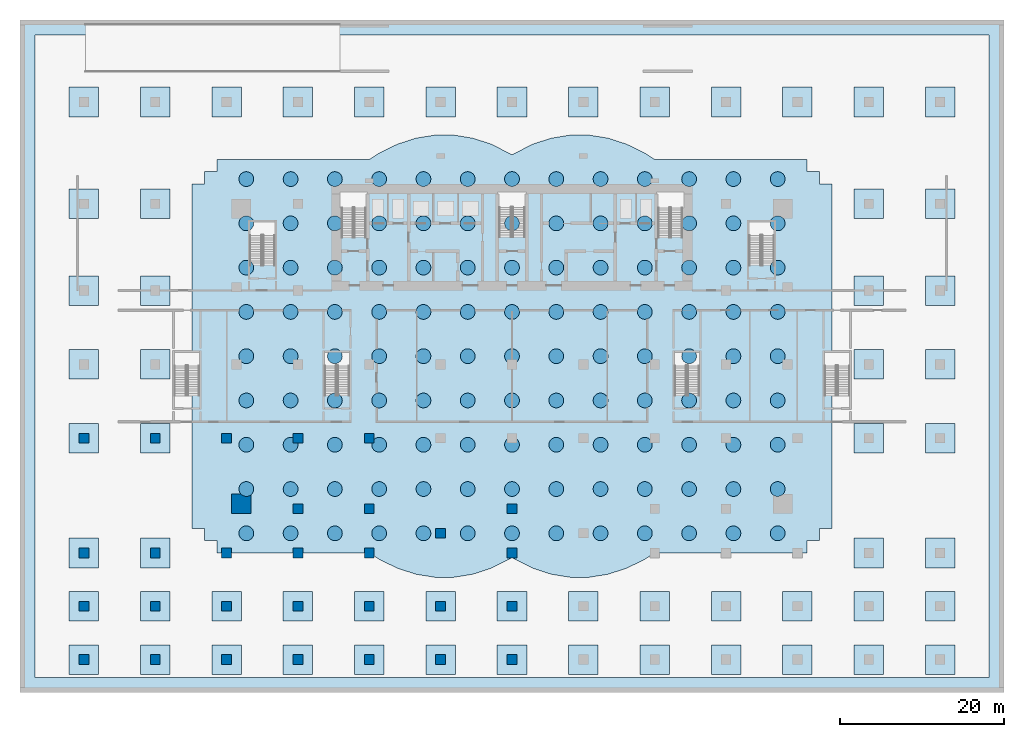
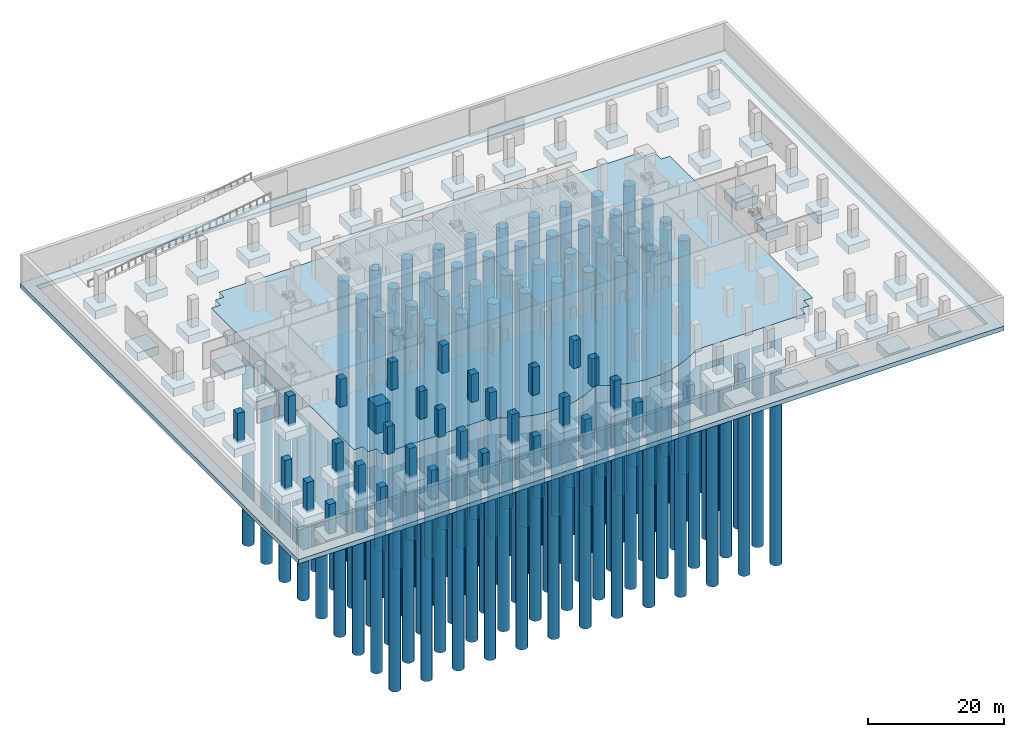
# One storey, part 1 of 10: 117 piles, 61 footings, 30 columns.
"""IFC4 building model written with IfcOpenShell, lengths in metres."""

from ifc_helpers import new_model, si_unit, direction, frame, origin, origin_2d, place, context, subcontext, project, spatial, polyline, rectangle, circle, outline, extrude, material, layer, layer_set, material_profile, profile_set, type_object, element, save


model = new_model("IFC4")

# Units and contexts
model_context = context("Model", 3, precision=1e-05, world=origin(), true_north=direction((0.0, 1.0)))
body_context = subcontext(model_context, "Body", "Model", "MODEL_VIEW")
ifc_project = project(units=[si_unit("LENGTHUNIT", "METRE"), si_unit("AREAUNIT", "SQUARE_METRE"), si_unit("VOLUMEUNIT", "CUBIC_METRE"), si_unit("PLANEANGLEUNIT", "RADIAN"), si_unit("MASSUNIT", "GRAM", prefix="KILO")], contexts=[model_context])

# Site, building, storey
site_placement = place(None, origin())
site = spatial("IfcSite", under=ifc_project, at=site_placement, CompositionType="ELEMENT")
building_placement = place(site_placement, origin())
building = spatial("IfcBuilding", under=site, at=building_placement, Name="Bicima Exchange Tower", CompositionType="ELEMENT")
storey_placement = place(building_placement, frame((0.0, 0.0, -15.0)))
storey = spatial("IfcBuildingStorey", under=building, at=storey_placement, Name="B3", CompositionType="ELEMENT", Elevation=-15.0)

# Piles
ifc_material_1 = material(Name="Concrete C35/45", Category="concrete")
ifc_material_profile_1 = material_profile(ifc_material_1, circle(Radius=0.89990234375, at=origin_2d()))
ifc_profile_set_1 = profile_set([ifc_material_profile_1], Name="Concrete C35/45")
pile_type = type_object("IfcPileType", Name="Bored pile D1800", PredefinedType="BORED", material=ifc_profile_set_1)
for number, where, z_axis, x_axis, name in (
    (1, (-32.39990234375, -42.60009765625, -2.89990234375), (0.0, 0.0, -1.0), (1.0, 0.0, 0.0), "Raft pile"),
    (2, (-32.39990234375, -37.199951171875, -2.89990234375), (0.0, 0.0, -1.0), (1.0, 0.0, 0.0), "Raft pile"),
    (3, (-32.39990234375, -31.800048828125, -2.89990234375), (0.0, 0.0, -1.0), (1.0, 0.0, 0.0), "Raft pile"),
    (4, (-32.39990234375, -26.39990234375, -2.89990234375), (0.0, 0.0, -1.0), (1.0, 0.0, 0.0), "Raft pile"),
    (5, (-32.39990234375, -21.0, -2.89990234375), (0.0, 0.0, -1.0), (1.0, 0.0, 0.0), "Raft pile"),
    (6, (-32.39990234375, -15.60009765625, -2.89990234375), (0.0, 0.0, -1.0), (1.0, 0.0, 0.0), "Raft pile"),
    (7, (-32.39990234375, -10.199951171875, -2.89990234375), (0.0, 0.0, -1.0), (1.0, 0.0, 0.0), "Raft pile"),
    (8, (-32.39990234375, -4.800048828125, -2.89990234375), (0.0, 0.0, -1.0), (1.0, 0.0, 0.0), "Raft pile"),
    (9, (-32.39990234375, 0.60009765625, -2.89990234375), (0.0, 0.0, -1.0), (1.0, 0.0, 0.0), "Raft pile"),
    (10, (-27.0, -42.60009765625, -2.89990234375), (0.0, 0.0, -1.0), (1.0, 0.0, 0.0), "Raft pile"),
    (11, (-27.0, -37.199951171875, -2.89990234375), (0.0, 0.0, -1.0), (1.0, 0.0, 0.0), "Raft pile"),
    (12, (-27.0, -31.800048828125, -2.89990234375), (0.0, 0.0, -1.0), (1.0, 0.0, 0.0), "Raft pile"),
    (13, (-27.0, -26.39990234375, -2.89990234375), (0.0, 0.0, -1.0), (1.0, 0.0, 0.0), "Raft pile"),
    (14, (-27.0, -21.0, -2.89990234375), (0.0, 0.0, -1.0), (1.0, 0.0, 0.0), "Raft pile"),
    (15, (-27.0, -15.60009765625, -2.89990234375), (0.0, 0.0, -1.0), (1.0, 0.0, 0.0), "Raft pile"),
    (16, (-27.0, -10.199951171875, -2.89990234375), (0.0, 0.0, -1.0), (1.0, 0.0, 0.0), "Raft pile"),
    (17, (-27.0, -4.800048828125, -2.89990234375), (0.0, 0.0, -1.0), (1.0, 0.0, 0.0), "Raft pile"),
    (18, (-27.0, 0.60009765625, -2.89990234375), (0.0, 0.0, -1.0), (1.0, 0.0, 0.0), "Raft pile"),
    (19, (-21.60009765625, -42.60009765625, -2.89990234375), (0.0, 0.0, -1.0), (1.0, 0.0, 0.0), "Raft pile"),
    (20, (-21.60009765625, -37.199951171875, -2.89990234375), (0.0, 0.0, -1.0), (1.0, 0.0, 0.0), "Raft pile"),
    (21, (-21.60009765625, -31.800048828125, -2.89990234375), (0.0, 0.0, -1.0), (1.0, 0.0, 0.0), "Raft pile"),
    (22, (-21.60009765625, -26.39990234375, -2.89990234375), (0.0, 0.0, -1.0), (1.0, 0.0, 0.0), "Raft pile"),
    (23, (-21.60009765625, -21.0, -2.89990234375), (0.0, 0.0, -1.0), (1.0, 0.0, 0.0), "Raft pile"),
    (24, (-21.60009765625, -15.60009765625, -2.89990234375), (0.0, 0.0, -1.0), (1.0, 0.0, 0.0), "Raft pile"),
    (25, (-21.60009765625, -10.199951171875, -2.89990234375), (0.0, 0.0, -1.0), (1.0, 0.0, 0.0), "Raft pile"),
    (26, (-21.60009765625, -4.800048828125, -2.89990234375), (0.0, 0.0, -1.0), (1.0, 0.0, 0.0), "Raft pile"),
    (27, (-21.60009765625, 0.60009765625, -2.89990234375), (0.0, 0.0, -1.0), (1.0, 0.0, 0.0), "Raft pile"),
    (28, (-16.199951171875, -42.60009765625, -2.89990234375), (0.0, 0.0, -1.0), (1.0, 0.0, 0.0), "Raft pile"),
    (29, (-16.199951171875, -37.199951171875, -2.89990234375), (0.0, 0.0, -1.0), (1.0, 0.0, 0.0), "Raft pile"),
    (30, (-16.199951171875, -31.800048828125, -2.89990234375), (0.0, 0.0, -1.0), (1.0, 0.0, 0.0), "Raft pile"),
    (31, (-16.199951171875, -26.39990234375, -2.89990234375), (0.0, 0.0, -1.0), (1.0, 0.0, 0.0), "Raft pile"),
    (32, (-16.199951171875, -21.0, -2.89990234375), (0.0, 0.0, -1.0), (1.0, 0.0, 0.0), "Raft pile"),
    (33, (-16.199951171875, -15.60009765625, -2.89990234375), (0.0, 0.0, -1.0), (1.0, 0.0, 0.0), "Raft pile"),
    (34, (-16.199951171875, -10.199951171875, -2.89990234375), (0.0, 0.0, -1.0), (1.0, 0.0, 0.0), "Raft pile"),
    (35, (-16.199951171875, -4.800048828125, -2.89990234375), (0.0, 0.0, -1.0), (1.0, 0.0, 0.0), "Raft pile"),
    (36, (-16.199951171875, 0.60009765625, -2.89990234375), (0.0, 0.0, -1.0), (1.0, 0.0, 0.0), "Raft pile"),
    (37, (-10.800048828125, -42.60009765625, -2.89990234375), (0.0, 0.0, -1.0), (1.0, 0.0, 0.0), "Raft pile"),
    (38, (-10.800048828125, -37.199951171875, -2.89990234375), (0.0, 0.0, -1.0), (1.0, 0.0, 0.0), "Raft pile"),
    (39, (-10.800048828125, -31.800048828125, -2.89990234375), (0.0, 0.0, -1.0), (1.0, 0.0, 0.0), "Raft pile"),
    (40, (-10.800048828125, -26.39990234375, -2.89990234375), (0.0, 0.0, -1.0), (1.0, 0.0, 0.0), "Raft pile"),
    (41, (-10.800048828125, -21.0, -2.89990234375), (0.0, 0.0, -1.0), (1.0, 0.0, 0.0), "Raft pile"),
    (42, (-10.800048828125, -15.60009765625, -2.89990234375), (0.0, 0.0, -1.0), (1.0, 0.0, 0.0), "Raft pile"),
    (43, (-10.800048828125, -10.199951171875, -2.89990234375), (0.0, 0.0, -1.0), (1.0, 0.0, 0.0), "Raft pile"),
    (44, (-10.800048828125, -4.800048828125, -2.89990234375), (0.0, 0.0, -1.0), (1.0, 0.0, 0.0), "Raft pile"),
    (45, (-10.800048828125, 0.60009765625, -2.89990234375), (0.0, 0.0, -1.0), (1.0, 0.0, 0.0), "Raft pile"),
    (46, (-5.39990234375, -42.60009765625, -2.89990234375), (0.0, 0.0, -1.0), (1.0, 0.0, 0.0), "Raft pile"),
    (47, (-5.39990234375, -37.199951171875, -2.89990234375), (0.0, 0.0, -1.0), (1.0, 0.0, 0.0), "Raft pile"),
    (48, (-5.39990234375, -31.800048828125, -2.89990234375), (0.0, 0.0, -1.0), (1.0, 0.0, 0.0), "Raft pile"),
    (49, (-5.39990234375, -26.39990234375, -2.89990234375), (0.0, 0.0, -1.0), (1.0, 0.0, 0.0), "Raft pile"),
    (50, (-5.39990234375, -21.0, -2.89990234375), (0.0, 0.0, -1.0), (1.0, 0.0, 0.0), "Raft pile"),
    (51, (-5.39990234375, -15.60009765625, -2.89990234375), (0.0, 0.0, -1.0), (1.0, 0.0, 0.0), "Raft pile"),
    (52, (-5.39990234375, -10.199951171875, -2.89990234375), (0.0, 0.0, -1.0), (1.0, 0.0, 0.0), "Raft pile"),
    (53, (-5.39990234375, -4.800048828125, -2.89990234375), (0.0, 0.0, -1.0), (1.0, 0.0, 0.0), "Raft pile"),
    (54, (-5.39990234375, 0.60009765625, -2.89990234375), (0.0, 0.0, -1.0), (1.0, 0.0, 0.0), "Raft pile"),
    (55, (0.0, -42.60009765625, -2.89990234375), (0.0, 0.0, -1.0), (1.0, 0.0, 0.0), "Raft pile"),
    (56, (0.0, -37.199951171875, -2.89990234375), (0.0, 0.0, -1.0), (1.0, 0.0, 0.0), "Raft pile"),
    (57, (0.0, -31.800048828125, -2.89990234375), (0.0, 0.0, -1.0), (1.0, 0.0, 0.0), "Raft pile"),
    (58, (0.0, -26.39990234375, -2.89990234375), (0.0, 0.0, -1.0), (1.0, 0.0, 0.0), "Raft pile"),
    (59, (0.0, -21.0, -2.89990234375), (0.0, 0.0, -1.0), (1.0, 0.0, 0.0), "Raft pile"),
    (60, (0.0, -15.60009765625, -2.89990234375), (0.0, 0.0, -1.0), (1.0, 0.0, 0.0), "Raft pile"),
    (61, (0.0, -10.199951171875, -2.89990234375), (0.0, 0.0, -1.0), (1.0, 0.0, 0.0), "Raft pile"),
    (62, (0.0, -4.800048828125, -2.89990234375), (0.0, 0.0, -1.0), (1.0, 0.0, 0.0), "Raft pile"),
    (63, (0.0, 0.60009765625, -2.89990234375), (0.0, 0.0, -1.0), (1.0, 0.0, 0.0), "Raft pile"),
    (64, (5.39990234375, -42.60009765625, -2.89990234375), (0.0, 0.0, -1.0), (1.0, 0.0, 0.0), "Raft pile"),
    (65, (5.39990234375, -37.199951171875, -2.89990234375), (0.0, 0.0, -1.0), (1.0, 0.0, 0.0), "Raft pile"),
    (66, (5.39990234375, -31.800048828125, -2.89990234375), (0.0, 0.0, -1.0), (1.0, 0.0, 0.0), "Raft pile"),
    (67, (5.39990234375, -26.39990234375, -2.89990234375), (0.0, 0.0, -1.0), (1.0, 0.0, 0.0), "Raft pile"),
    (68, (5.39990234375, -21.0, -2.89990234375), (0.0, 0.0, -1.0), (1.0, 0.0, 0.0), "Raft pile"),
    (69, (5.39990234375, -15.60009765625, -2.89990234375), (0.0, 0.0, -1.0), (1.0, 0.0, 0.0), "Raft pile"),
    (70, (5.39990234375, -10.199951171875, -2.89990234375), (0.0, 0.0, -1.0), (1.0, 0.0, 0.0), "Raft pile"),
    (71, (5.39990234375, -4.800048828125, -2.89990234375), (0.0, 0.0, -1.0), (1.0, 0.0, 0.0), "Raft pile"),
    (72, (5.39990234375, 0.60009765625, -2.89990234375), (0.0, 0.0, -1.0), (1.0, 0.0, 0.0), "Raft pile"),
    (73, (10.800048828125, -42.60009765625, -2.89990234375), (0.0, 0.0, -1.0), (1.0, 0.0, 0.0), "Raft pile"),
    (74, (10.800048828125, -37.199951171875, -2.89990234375), (0.0, 0.0, -1.0), (1.0, 0.0, 0.0), "Raft pile"),
    (75, (10.800048828125, -31.800048828125, -2.89990234375), (0.0, 0.0, -1.0), (1.0, 0.0, 0.0), "Raft pile"),
    (76, (10.800048828125, -26.39990234375, -2.89990234375), (0.0, 0.0, -1.0), (1.0, 0.0, 0.0), "Raft pile"),
    (77, (10.800048828125, -21.0, -2.89990234375), (0.0, 0.0, -1.0), (1.0, 0.0, 0.0), "Raft pile"),
    (78, (10.800048828125, -15.60009765625, -2.89990234375), (0.0, 0.0, -1.0), (1.0, 0.0, 0.0), "Raft pile"),
    (79, (10.800048828125, -10.199951171875, -2.89990234375), (0.0, 0.0, -1.0), (1.0, 0.0, 0.0), "Raft pile"),
    (80, (10.800048828125, -4.800048828125, -2.89990234375), (0.0, 0.0, -1.0), (1.0, 0.0, 0.0), "Raft pile"),
    (81, (10.800048828125, 0.60009765625, -2.89990234375), (0.0, 0.0, -1.0), (1.0, 0.0, 0.0), "Raft pile"),
    (82, (16.199951171875, -42.60009765625, -2.89990234375), (0.0, 0.0, -1.0), (1.0, 0.0, 0.0), "Raft pile"),
    (83, (16.199951171875, -37.199951171875, -2.89990234375), (0.0, 0.0, -1.0), (1.0, 0.0, 0.0), "Raft pile"),
    (84, (16.199951171875, -31.800048828125, -2.89990234375), (0.0, 0.0, -1.0), (1.0, 0.0, 0.0), "Raft pile"),
    (85, (16.199951171875, -26.39990234375, -2.89990234375), (0.0, 0.0, -1.0), (1.0, 0.0, 0.0), "Raft pile"),
    (86, (16.199951171875, -21.0, -2.89990234375), (0.0, 0.0, -1.0), (1.0, 0.0, 0.0), "Raft pile"),
    (87, (16.199951171875, -15.60009765625, -2.89990234375), (0.0, 0.0, -1.0), (1.0, 0.0, 0.0), "Raft pile"),
    (88, (16.199951171875, -10.199951171875, -2.89990234375), (0.0, 0.0, -1.0), (1.0, 0.0, 0.0), "Raft pile"),
    (89, (16.199951171875, -4.800048828125, -2.89990234375), (0.0, 0.0, -1.0), (1.0, 0.0, 0.0), "Raft pile"),
    (90, (16.199951171875, 0.60009765625, -2.89990234375), (0.0, 0.0, -1.0), (1.0, 0.0, 0.0), "Raft pile"),
    (91, (21.60009765625, -42.60009765625, -2.89990234375), (0.0, 0.0, -1.0), (1.0, 0.0, 0.0), "Raft pile"),
    (92, (21.60009765625, -37.199951171875, -2.89990234375), (0.0, 0.0, -1.0), (1.0, 0.0, 0.0), "Raft pile"),
    (93, (21.60009765625, -31.800048828125, -2.89990234375), (0.0, 0.0, -1.0), (1.0, 0.0, 0.0), "Raft pile"),
    (94, (21.60009765625, -26.39990234375, -2.89990234375), (0.0, 0.0, -1.0), (1.0, 0.0, 0.0), "Raft pile"),
    (95, (21.60009765625, -21.0, -2.89990234375), (0.0, 0.0, -1.0), (1.0, 0.0, 0.0), "Raft pile"),
    (96, (21.60009765625, -15.60009765625, -2.89990234375), (0.0, 0.0, -1.0), (1.0, 0.0, 0.0), "Raft pile"),
    (97, (21.60009765625, -10.199951171875, -2.89990234375), (0.0, 0.0, -1.0), (1.0, 0.0, 0.0), "Raft pile"),
    (98, (21.60009765625, -4.800048828125, -2.89990234375), (0.0, 0.0, -1.0), (1.0, 0.0, 0.0), "Raft pile"),
    (99, (21.60009765625, 0.60009765625, -2.89990234375), (0.0, 0.0, -1.0), (1.0, 0.0, 0.0), "Raft pile"),
    (100, (27.0, -42.60009765625, -2.89990234375), (0.0, 0.0, -1.0), (1.0, 0.0, 0.0), "Raft pile"),
    (101, (27.0, -37.199951171875, -2.89990234375), (0.0, 0.0, -1.0), (1.0, 0.0, 0.0), "Raft pile"),
    (102, (27.0, -31.800048828125, -2.89990234375), (0.0, 0.0, -1.0), (1.0, 0.0, 0.0), "Raft pile"),
    (103, (27.0, -26.39990234375, -2.89990234375), (0.0, 0.0, -1.0), (1.0, 0.0, 0.0), "Raft pile"),
    (104, (27.0, -21.0, -2.89990234375), (0.0, 0.0, -1.0), (1.0, 0.0, 0.0), "Raft pile"),
    (105, (27.0, -15.60009765625, -2.89990234375), (0.0, 0.0, -1.0), (1.0, 0.0, 0.0), "Raft pile"),
    (106, (27.0, -10.199951171875, -2.89990234375), (0.0, 0.0, -1.0), (1.0, 0.0, 0.0), "Raft pile"),
    (107, (27.0, -4.800048828125, -2.89990234375), (0.0, 0.0, -1.0), (1.0, 0.0, 0.0), "Raft pile"),
    (108, (27.0, 0.60009765625, -2.89990234375), (0.0, 0.0, -1.0), (1.0, 0.0, 0.0), "Raft pile"),
    (109, (32.39990234375, -42.60009765625, -2.89990234375), (0.0, 0.0, -1.0), (1.0, 0.0, 0.0), "Raft pile"),
    (110, (32.39990234375, -37.199951171875, -2.89990234375), (0.0, 0.0, -1.0), (1.0, 0.0, 0.0), "Raft pile"),
    (111, (32.39990234375, -31.800048828125, -2.89990234375), (0.0, 0.0, -1.0), (1.0, 0.0, 0.0), "Raft pile"),
    (112, (32.39990234375, -26.39990234375, -2.89990234375), (0.0, 0.0, -1.0), (1.0, 0.0, 0.0), "Raft pile"),
    (113, (32.39990234375, -21.0, -2.89990234375), (0.0, 0.0, -1.0), (1.0, 0.0, 0.0), "Raft pile"),
    (114, (32.39990234375, -15.60009765625, -2.89990234375), (0.0, 0.0, -1.0), (1.0, 0.0, 0.0), "Raft pile"),
    (115, (32.39990234375, -10.199951171875, -2.89990234375), (0.0, 0.0, -1.0), (1.0, 0.0, 0.0), "Raft pile"),
    (116, (32.39990234375, -4.800048828125, -2.89990234375), (0.0, 0.0, -1.0), (1.0, 0.0, 0.0), "Raft pile"),
    (117, (32.39990234375, 0.60009765625, -2.89990234375), (0.0, 0.0, -1.0), (1.0, 0.0, 0.0), "Raft pile"),
):
    element("IfcPile", number, at=place(storey_placement, frame(where, z_axis=z_axis, x_axis=x_axis)), inside=storey, type_object=pile_type, Name=name, PredefinedType="BORED", context=body_context, shape_type="SweptSolid", body=[
        extrude(circle(Radius=0.89990234375, at=origin_2d()), origin(), (0.0, 0.0, 1.0), 42.0),
    ])

# Footings
ifc_material_2 = material(Name="Concrete C40/50", Category="concrete")
ifc_layer_1 = layer(ifc_material_2, 3.0)
ifc_layer_set_1 = layer_set([ifc_layer_1], Name="Concrete C40/50")
footing_type_1 = type_object("IfcFootingType", Name="Piled raft 3000", PredefinedType="PILE_CAP", material=ifc_layer_set_1)
footing_1_placement = place(storey_placement, frame((0.0, 0.0, -3.0)))
element("IfcFooting", 118, at=footing_1_placement, inside=storey, type_object=footing_type_1, Name="Tower piled raft", PredefinedType="PILE_CAP", context=body_context, shape_type="SweptSolid", body=[
    extrude(outline(polyline([(-37.5, -42.0), (-39.0, -42.0), (-39.0, 0.0), (-37.5, 0.0), (-37.5, 1.5), (-36.0, 1.5), (-36.0, 3.0), (-17.38525390625, 3.0), (-16.14111328125, 3.804443359375), (-13.954345703125, 4.864501953125), (-11.704833984375, 5.591796875), (-9.40771484375, 5.962890625), (-7.09228515625, 5.962890625), (-4.795166015625, 5.591796875), (-2.545654296875, 4.864501953125), (0.0, 3.572265625), (2.545654296875, 4.864501953125), (4.795166015625, 5.591796875), (7.09228515625, 5.962890625), (9.40771484375, 5.962890625), (11.704833984375, 5.591796875), (13.954345703125, 4.864501953125), (16.14111328125, 3.804443359375), (17.38525390625, 3.0), (36.0, 3.0), (36.0, 1.5), (37.5, 1.5), (37.5, 0.0), (39.0, 0.0), (39.0, -42.0), (37.5, -42.0), (37.5, -43.5), (36.0, -43.5), (36.0, -45.0), (17.38525390625, -45.0), (16.14111328125, -45.804443359375), (13.954345703125, -46.864501953125), (11.704833984375, -47.591796875), (9.40771484375, -47.962890625), (7.09228515625, -47.962890625), (4.795166015625, -47.591796875), (2.545654296875, -46.864501953125), (0.0, -45.572265625), (-2.545654296875, -46.864501953125), (-4.795166015625, -47.591796875), (-7.09228515625, -47.962890625), (-9.40771484375, -47.962890625), (-11.704833984375, -47.591796875), (-13.954345703125, -46.864501953125), (-16.14111328125, -45.804443359375), (-17.38525390625, -45.0), (-36.0, -45.0), (-36.0, -43.5), (-37.5, -43.5), (-37.5, -42.0)])), origin(), (0.0, 0.0, 1.0), 3.0),
])
footing_type_2 = type_object("IfcFootingType", Name="Spread footing 3600 x 3600 x 1500", PredefinedType="PAD_FOOTING", material=ifc_material_2)
for number, where, z_axis, x_axis, name in (
    (119, (-52.199951171875, -58.0, -1.800048828125), (0.0, 0.0, 1.0), (1.0, 0.0, 0.0), "Column pad"),
    (120, (-52.199951171875, -51.5, -1.800048828125), (0.0, 0.0, 1.0), (1.0, 0.0, 0.0), "Column pad"),
    (121, (-52.199951171875, -45.0, -1.800048828125), (0.0, 0.0, 1.0), (1.0, 0.0, 0.0), "Column pad"),
    (122, (-52.199951171875, -31.0, -1.800048828125), (0.0, 0.0, 1.0), (1.0, 0.0, 0.0), "Column pad"),
    (123, (-52.199951171875, -22.0, -1.800048828125), (0.0, 0.0, 1.0), (1.0, 0.0, 0.0), "Column pad"),
    (124, (-52.199951171875, -13.0, -1.800048828125), (0.0, 0.0, 1.0), (1.0, 0.0, 0.0), "Column pad"),
    (125, (-52.199951171875, -2.39990234375, -1.800048828125), (0.0, 0.0, 1.0), (1.0, 0.0, 0.0), "Column pad"),
    (126, (-52.199951171875, 10.0, -1.800048828125), (0.0, 0.0, 1.0), (1.0, 0.0, 0.0), "Column pad"),
    (127, (-43.5, -58.0, -1.800048828125), (0.0, 0.0, 1.0), (1.0, 0.0, 0.0), "Column pad"),
    (128, (-43.5, -51.5, -1.800048828125), (0.0, 0.0, 1.0), (1.0, 0.0, 0.0), "Column pad"),
    (129, (-43.5, -45.0, -1.800048828125), (0.0, 0.0, 1.0), (1.0, 0.0, 0.0), "Column pad"),
    (130, (-43.5, -31.0, -1.800048828125), (0.0, 0.0, 1.0), (1.0, 0.0, 0.0), "Column pad"),
    (131, (-43.5, -22.0, -1.800048828125), (0.0, 0.0, 1.0), (1.0, 0.0, 0.0), "Column pad"),
    (132, (-43.5, -13.0, -1.800048828125), (0.0, 0.0, 1.0), (1.0, 0.0, 0.0), "Column pad"),
    (133, (-43.5, -2.39990234375, -1.800048828125), (0.0, 0.0, 1.0), (1.0, 0.0, 0.0), "Column pad"),
    (134, (-43.5, 10.0, -1.800048828125), (0.0, 0.0, 1.0), (1.0, 0.0, 0.0), "Column pad"),
    (135, (-34.800048828125, -58.0, -1.800048828125), (0.0, 0.0, 1.0), (1.0, 0.0, 0.0), "Column pad"),
    (136, (-34.800048828125, -51.5, -1.800048828125), (0.0, 0.0, 1.0), (1.0, 0.0, 0.0), "Column pad"),
    (137, (-34.800048828125, 10.0, -1.800048828125), (0.0, 0.0, 1.0), (1.0, 0.0, 0.0), "Column pad"),
    (138, (-26.10009765625, -58.0, -1.800048828125), (0.0, 0.0, 1.0), (1.0, 0.0, 0.0), "Column pad"),
    (139, (-26.10009765625, -51.5, -1.800048828125), (0.0, 0.0, 1.0), (1.0, 0.0, 0.0), "Column pad"),
    (140, (-26.10009765625, 10.0, -1.800048828125), (0.0, 0.0, 1.0), (1.0, 0.0, 0.0), "Column pad"),
    (141, (-17.39990234375, -58.0, -1.800048828125), (0.0, 0.0, 1.0), (1.0, 0.0, 0.0), "Column pad"),
    (142, (-17.39990234375, -51.5, -1.800048828125), (0.0, 0.0, 1.0), (1.0, 0.0, 0.0), "Column pad"),
    (143, (-17.39990234375, 10.0, -1.800048828125), (0.0, 0.0, 1.0), (1.0, 0.0, 0.0), "Column pad"),
    (144, (-8.699951171875, -58.0, -1.800048828125), (0.0, 0.0, 1.0), (1.0, 0.0, 0.0), "Column pad"),
    (145, (-8.699951171875, -51.5, -1.800048828125), (0.0, 0.0, 1.0), (1.0, 0.0, 0.0), "Column pad"),
    (146, (-8.699951171875, 10.0, -1.800048828125), (0.0, 0.0, 1.0), (1.0, 0.0, 0.0), "Column pad"),
    (147, (0.0, -58.0, -1.800048828125), (0.0, 0.0, 1.0), (1.0, 0.0, 0.0), "Column pad"),
    (148, (0.0, -51.5, -1.800048828125), (0.0, 0.0, 1.0), (1.0, 0.0, 0.0), "Column pad"),
    (149, (0.0, 10.0, -1.800048828125), (0.0, 0.0, 1.0), (1.0, 0.0, 0.0), "Column pad"),
    (150, (8.699951171875, -58.0, -1.800048828125), (0.0, 0.0, 1.0), (1.0, 0.0, 0.0), "Column pad"),
    (151, (8.699951171875, -51.5, -1.800048828125), (0.0, 0.0, 1.0), (1.0, 0.0, 0.0), "Column pad"),
    (152, (8.699951171875, 10.0, -1.800048828125), (0.0, 0.0, 1.0), (1.0, 0.0, 0.0), "Column pad"),
    (153, (17.39990234375, -58.0, -1.800048828125), (0.0, 0.0, 1.0), (1.0, 0.0, 0.0), "Column pad"),
    (154, (17.39990234375, -51.5, -1.800048828125), (0.0, 0.0, 1.0), (1.0, 0.0, 0.0), "Column pad"),
    (155, (17.39990234375, 10.0, -1.800048828125), (0.0, 0.0, 1.0), (1.0, 0.0, 0.0), "Column pad"),
    (156, (26.10009765625, -58.0, -1.800048828125), (0.0, 0.0, 1.0), (1.0, 0.0, 0.0), "Column pad"),
    (157, (26.10009765625, -51.5, -1.800048828125), (0.0, 0.0, 1.0), (1.0, 0.0, 0.0), "Column pad"),
    (158, (26.10009765625, 10.0, -1.800048828125), (0.0, 0.0, 1.0), (1.0, 0.0, 0.0), "Column pad"),
    (159, (34.800048828125, -58.0, -1.800048828125), (0.0, 0.0, 1.0), (1.0, 0.0, 0.0), "Column pad"),
    (160, (34.800048828125, -51.5, -1.800048828125), (0.0, 0.0, 1.0), (1.0, 0.0, 0.0), "Column pad"),
    (161, (34.800048828125, 10.0, -1.800048828125), (0.0, 0.0, 1.0), (1.0, 0.0, 0.0), "Column pad"),
    (162, (43.5, -58.0, -1.800048828125), (0.0, 0.0, 1.0), (1.0, 0.0, 0.0), "Column pad"),
    (163, (43.5, -51.5, -1.800048828125), (0.0, 0.0, 1.0), (1.0, 0.0, 0.0), "Column pad"),
    (164, (43.5, -45.0, -1.800048828125), (0.0, 0.0, 1.0), (1.0, 0.0, 0.0), "Column pad"),
    (165, (43.5, -31.0, -1.800048828125), (0.0, 0.0, 1.0), (1.0, 0.0, 0.0), "Column pad"),
    (166, (43.5, -22.0, -1.800048828125), (0.0, 0.0, 1.0), (1.0, 0.0, 0.0), "Column pad"),
    (167, (43.5, -13.0, -1.800048828125), (0.0, 0.0, 1.0), (1.0, 0.0, 0.0), "Column pad"),
    (168, (43.5, -2.39990234375, -1.800048828125), (0.0, 0.0, 1.0), (1.0, 0.0, 0.0), "Column pad"),
    (169, (43.5, 10.0, -1.800048828125), (0.0, 0.0, 1.0), (1.0, 0.0, 0.0), "Column pad"),
    (170, (52.199951171875, -58.0, -1.800048828125), (0.0, 0.0, 1.0), (1.0, 0.0, 0.0), "Column pad"),
    (171, (52.199951171875, -51.5, -1.800048828125), (0.0, 0.0, 1.0), (1.0, 0.0, 0.0), "Column pad"),
    (172, (52.199951171875, -45.0, -1.800048828125), (0.0, 0.0, 1.0), (1.0, 0.0, 0.0), "Column pad"),
    (173, (52.199951171875, -31.0, -1.800048828125), (0.0, 0.0, 1.0), (1.0, 0.0, 0.0), "Column pad"),
    (174, (52.199951171875, -22.0, -1.800048828125), (0.0, 0.0, 1.0), (1.0, 0.0, 0.0), "Column pad"),
    (175, (52.199951171875, -13.0, -1.800048828125), (0.0, 0.0, 1.0), (1.0, 0.0, 0.0), "Column pad"),
    (176, (52.199951171875, -2.39990234375, -1.800048828125), (0.0, 0.0, 1.0), (1.0, 0.0, 0.0), "Column pad"),
    (177, (52.199951171875, 10.0, -1.800048828125), (0.0, 0.0, 1.0), (1.0, 0.0, 0.0), "Column pad"),
):
    element("IfcFooting", number, at=place(storey_placement, frame(where, z_axis=z_axis, x_axis=x_axis)), inside=storey, type_object=footing_type_2, Name=name, PredefinedType="PAD_FOOTING", context=body_context, shape_type="SweptSolid", body=[
        extrude(rectangle(XDim=3.60009765625, YDim=3.60009765625, at=origin_2d()), origin(), (0.0, 0.0, 1.0), 1.5),
    ])
ifc_layer_2 = layer(ifc_material_2, 0.800048828125)
ifc_layer_set_2 = layer_set([ifc_layer_2], Name="Concrete C40/50")
footing_type_3 = type_object("IfcFootingType", Name="Strip footing 1800 x 800", PredefinedType="STRIP_FOOTING", material=ifc_layer_set_2)
footing_2_placement = place(storey_placement, frame((0.0, 0.0, -1.10009765625)))
element("IfcFooting", 178, at=footing_2_placement, inside=storey, type_object=footing_type_3, Name="Retaining wall strip footing", PredefinedType="STRIP_FOOTING", context=body_context, shape_type="SweptSolid", body=[
    extrude(outline(polyline([(-60.0, -62.0), (60.0, -62.0), (60.0, 20.0), (-60.0, 20.0), (-60.0, -62.0)]), holes=[polyline([(-58.199951171875, -60.199951171875), (58.199951171875, -60.199951171875), (58.199951171875, 18.199951171875), (-58.199951171875, 18.199951171875), (-58.199951171875, -60.199951171875)])]), origin(), (0.0, 0.0, 1.0), 0.800048828125),
])

# Columns
ifc_material_3 = material(Name="Concrete C60/75", Category="concrete")
ifc_material_profile_2 = material_profile(ifc_material_3, rectangle(XDim=1.199951171875, YDim=1.199951171875, at=origin_2d()))
ifc_profile_set_2 = profile_set([ifc_material_profile_2], Name="Concrete C60/75")
column_type_1 = type_object("IfcColumnType", Name="Reinforced concrete basement column 1200 x 1200", PredefinedType="COLUMN", material=ifc_profile_set_2)
for number, where, z_axis, x_axis, name in (
    (179, (-26.10009765625, -39.60009765625, 0.0), (0.0, 0.0, 1.0), (1.0, 0.0, 0.0), "Column"),
    (180, (-17.39990234375, -39.60009765625, 0.0), (0.0, 0.0, 1.0), (1.0, 0.0, 0.0), "Column"),
    (181, (-8.699951171875, -42.591064453125, 0.0), (0.0, 0.0, 1.0), (1.0, 0.0, 0.0), "Column"),
    (182, (0.0, -39.60009765625, 0.0), (0.0, 0.0, 1.0), (1.0, 0.0, 0.0), "Column"),
):
    element("IfcColumn", number, at=place(storey_placement, frame(where, z_axis=z_axis, x_axis=x_axis)), inside=storey, type_object=column_type_1, Name=name, PredefinedType="COLUMN", context=body_context, shape_type="SweptSolid", body=[
        extrude(rectangle(XDim=1.199951171875, YDim=1.199951171875, at=origin_2d()), origin(), (0.0, 0.0, 1.0), 5.0),
    ])
for number, where, z_axis, x_axis, name in (
    (183, (-52.199951171875, -31.0, -0.300048828125), (0.0, 0.0, 1.0), (1.0, 0.0, 0.0), "Column"),
    (184, (-52.199951171875, -45.0, -0.300048828125), (0.0, 0.0, 1.0), (1.0, 0.0, 0.0), "Column"),
    (185, (-52.199951171875, -51.5, -0.300048828125), (0.0, 0.0, 1.0), (1.0, 0.0, 0.0), "Column"),
    (186, (-52.199951171875, -58.0, -0.300048828125), (0.0, 0.0, 1.0), (1.0, 0.0, 0.0), "Column"),
    (187, (-43.5, -31.0, -0.300048828125), (0.0, 0.0, 1.0), (1.0, 0.0, 0.0), "Column"),
    (188, (-43.5, -45.0, -0.300048828125), (0.0, 0.0, 1.0), (1.0, 0.0, 0.0), "Column"),
    (189, (-43.5, -51.5, -0.300048828125), (0.0, 0.0, 1.0), (1.0, 0.0, 0.0), "Column"),
    (190, (-43.5, -58.0, -0.300048828125), (0.0, 0.0, 1.0), (1.0, 0.0, 0.0), "Column"),
):
    element("IfcColumn", number, at=place(storey_placement, frame(where, z_axis=z_axis, x_axis=x_axis)), inside=storey, type_object=column_type_1, Name=name, PredefinedType="COLUMN", context=body_context, shape_type="SweptSolid", body=[
        extrude(rectangle(XDim=1.199951171875, YDim=1.199951171875, at=origin_2d()), origin(), (0.0, 0.0, 1.0), 5.300048828125),
    ])
for number, where, z_axis, x_axis, name in (
    (191, (-34.800048828125, -31.0, 0.0), (0.0, 0.0, 1.0), (1.0, 0.0, 0.0), "Column"),
    (192, (-34.800048828125, -45.0, 0.0), (0.0, 0.0, 1.0), (1.0, 0.0, 0.0), "Column"),
):
    element("IfcColumn", number, at=place(storey_placement, frame(where, z_axis=z_axis, x_axis=x_axis)), inside=storey, type_object=column_type_1, Name=name, PredefinedType="COLUMN", context=body_context, shape_type="SweptSolid", body=[
        extrude(rectangle(XDim=1.199951171875, YDim=1.199951171875, at=origin_2d()), origin(), (0.0, 0.0, 1.0), 5.0),
    ])
for number, where, z_axis, x_axis, name in (
    (193, (-34.800048828125, -51.5, -0.300048828125), (0.0, 0.0, 1.0), (1.0, 0.0, 0.0), "Column"),
    (194, (-34.800048828125, -58.0, -0.300048828125), (0.0, 0.0, 1.0), (1.0, 0.0, 0.0), "Column"),
):
    element("IfcColumn", number, at=place(storey_placement, frame(where, z_axis=z_axis, x_axis=x_axis)), inside=storey, type_object=column_type_1, Name=name, PredefinedType="COLUMN", context=body_context, shape_type="SweptSolid", body=[
        extrude(rectangle(XDim=1.199951171875, YDim=1.199951171875, at=origin_2d()), origin(), (0.0, 0.0, 1.0), 5.300048828125),
    ])
for number, where, z_axis, x_axis, name in (
    (195, (-26.10009765625, -31.0, 0.0), (0.0, 0.0, 1.0), (1.0, 0.0, 0.0), "Column"),
    (196, (-26.10009765625, -45.0, 0.0), (0.0, 0.0, 1.0), (1.0, 0.0, 0.0), "Column"),
):
    element("IfcColumn", number, at=place(storey_placement, frame(where, z_axis=z_axis, x_axis=x_axis)), inside=storey, type_object=column_type_1, Name=name, PredefinedType="COLUMN", context=body_context, shape_type="SweptSolid", body=[
        extrude(rectangle(XDim=1.199951171875, YDim=1.199951171875, at=origin_2d()), origin(), (0.0, 0.0, 1.0), 5.0),
    ])
for number, where, z_axis, x_axis, name in (
    (197, (-26.10009765625, -51.5, -0.300048828125), (0.0, 0.0, 1.0), (1.0, 0.0, 0.0), "Column"),
    (198, (-26.10009765625, -58.0, -0.300048828125), (0.0, 0.0, 1.0), (1.0, 0.0, 0.0), "Column"),
):
    element("IfcColumn", number, at=place(storey_placement, frame(where, z_axis=z_axis, x_axis=x_axis)), inside=storey, type_object=column_type_1, Name=name, PredefinedType="COLUMN", context=body_context, shape_type="SweptSolid", body=[
        extrude(rectangle(XDim=1.199951171875, YDim=1.199951171875, at=origin_2d()), origin(), (0.0, 0.0, 1.0), 5.300048828125),
    ])
for number, where, z_axis, x_axis, name in (
    (199, (-17.39990234375, -31.0, 0.0), (0.0, 0.0, 1.0), (1.0, 0.0, 0.0), "Column"),
    (200, (-17.39990234375, -45.0, 0.0), (0.0, 0.0, 1.0), (1.0, 0.0, 0.0), "Column"),
):
    element("IfcColumn", number, at=place(storey_placement, frame(where, z_axis=z_axis, x_axis=x_axis)), inside=storey, type_object=column_type_1, Name=name, PredefinedType="COLUMN", context=body_context, shape_type="SweptSolid", body=[
        extrude(rectangle(XDim=1.199951171875, YDim=1.199951171875, at=origin_2d()), origin(), (0.0, 0.0, 1.0), 5.0),
    ])
for number, where, z_axis, x_axis, name in (
    (201, (-17.39990234375, -51.5, -0.300048828125), (0.0, 0.0, 1.0), (1.0, 0.0, 0.0), "Column"),
    (202, (-17.39990234375, -58.0, -0.300048828125), (0.0, 0.0, 1.0), (1.0, 0.0, 0.0), "Column"),
    (203, (-8.699951171875, -51.5, -0.300048828125), (0.0, 0.0, 1.0), (1.0, 0.0, 0.0), "Column"),
    (204, (-8.699951171875, -58.0, -0.300048828125), (0.0, 0.0, 1.0), (1.0, 0.0, 0.0), "Column"),
):
    element("IfcColumn", number, at=place(storey_placement, frame(where, z_axis=z_axis, x_axis=x_axis)), inside=storey, type_object=column_type_1, Name=name, PredefinedType="COLUMN", context=body_context, shape_type="SweptSolid", body=[
        extrude(rectangle(XDim=1.199951171875, YDim=1.199951171875, at=origin_2d()), origin(), (0.0, 0.0, 1.0), 5.300048828125),
    ])
column_1_placement = place(storey_placement, frame((0.0, -45.0, 0.0), z_axis=(0.0, 0.0, 1.0), x_axis=(1.0, 0.0, 0.0)))
element("IfcColumn", 205, at=column_1_placement, inside=storey, type_object=column_type_1, Name="Column", PredefinedType="COLUMN", context=body_context, shape_type="SweptSolid", body=[
    extrude(rectangle(XDim=1.199951171875, YDim=1.199951171875, at=origin_2d()), origin(), (0.0, 0.0, 1.0), 5.0),
])
for number, where, z_axis, x_axis, name in (
    (206, (0.0, -51.5, -0.300048828125), (0.0, 0.0, 1.0), (1.0, 0.0, 0.0), "Column"),
    (207, (0.0, -58.0, -0.300048828125), (0.0, 0.0, 1.0), (1.0, 0.0, 0.0), "Column"),
):
    element("IfcColumn", number, at=place(storey_placement, frame(where, z_axis=z_axis, x_axis=x_axis)), inside=storey, type_object=column_type_1, Name=name, PredefinedType="COLUMN", context=body_context, shape_type="SweptSolid", body=[
        extrude(rectangle(XDim=1.199951171875, YDim=1.199951171875, at=origin_2d()), origin(), (0.0, 0.0, 1.0), 5.300048828125),
    ])
ifc_material_profile_3 = material_profile(ifc_material_3, rectangle(XDim=2.39990234375, YDim=2.39990234375, at=origin_2d()))
ifc_profile_set_3 = profile_set([ifc_material_profile_3], Name="Concrete C60/75")
column_type_2 = type_object("IfcColumnType", Name="Reinforced concrete mega column 2400 x 2400", PredefinedType="COLUMN", material=ifc_profile_set_3)
column_2_placement = place(storey_placement, frame((-33.0, -39.0, 0.0), z_axis=(0.0, 0.0, 1.0), x_axis=(1.0, 0.0, 0.0)))
element("IfcColumn", 208, at=column_2_placement, inside=storey, type_object=column_type_2, Name="Mega column", PredefinedType="COLUMN", context=body_context, shape_type="SweptSolid", body=[
    extrude(rectangle(XDim=2.39990234375, YDim=2.39990234375, at=origin_2d()), origin(), (0.0, 0.0, 1.0), 5.0),
])

save(model, "model.ifc")
